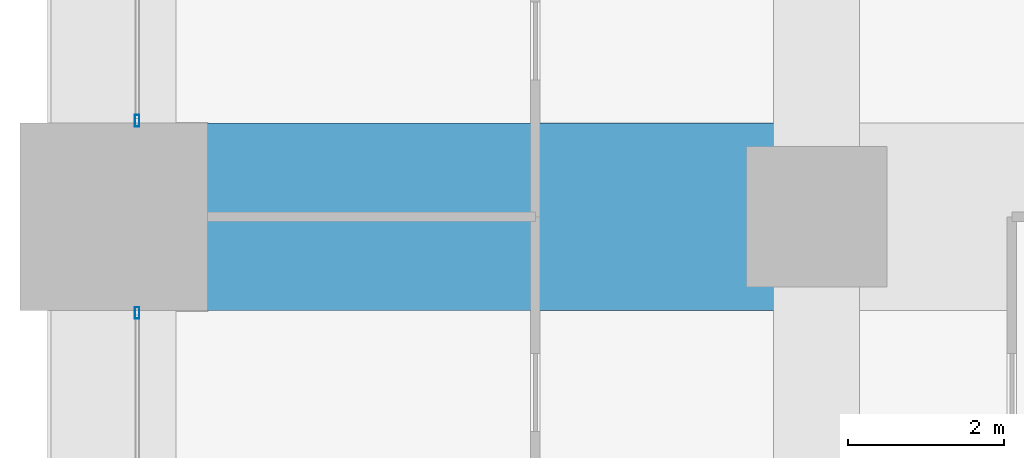
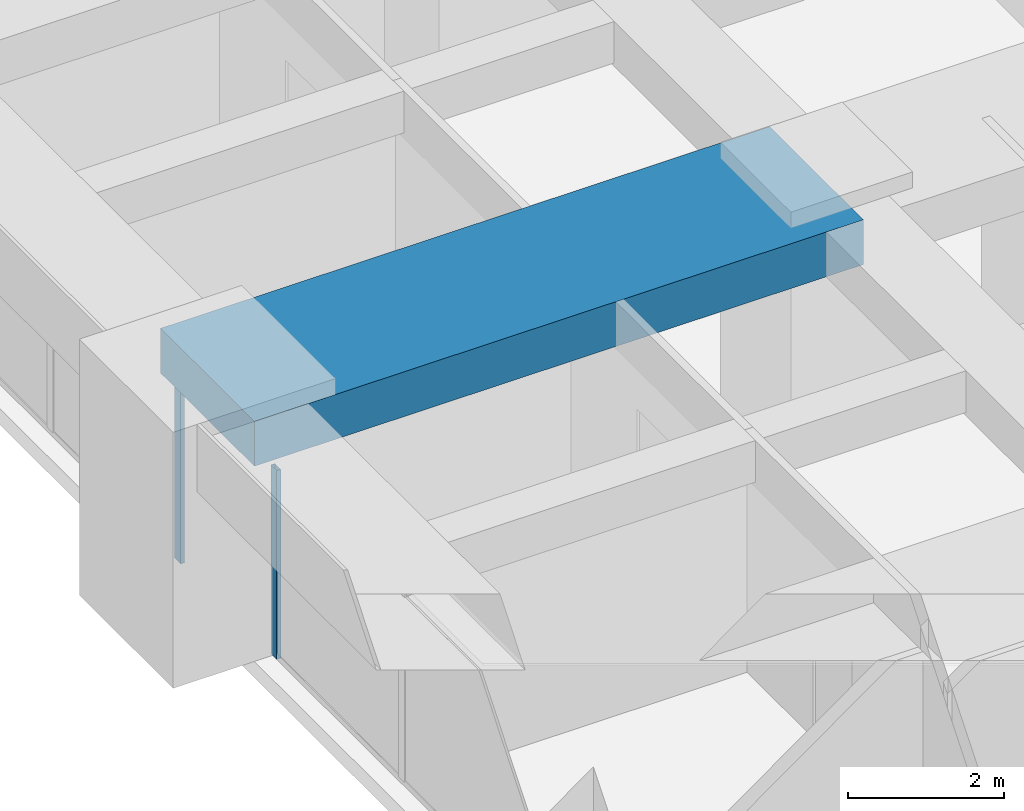
# One storey, part 11 of 43: 2 members, 1 beam, 2 elements without a shape of their own.
"""IFC4 building model written with IfcOpenShell, lengths in metres."""

from ifc_helpers import new_model, si_unit, direction, frame, origin, origin_2d, place, context, subcontext, project, spatial, rectangle, hollow_rectangle, extrude, material, material_profile, profile_set, type_object, element, aggregate, save


model = new_model("IFC4")

# Units and contexts
model_context = context("Model", 3, precision=1e-05, world=origin(), true_north=direction((0.0, 1.0)))
body_context = subcontext(model_context, "Body", "Model", "MODEL_VIEW")
ifc_project = project(units=[si_unit("LENGTHUNIT", "METRE"), si_unit("AREAUNIT", "SQUARE_METRE"), si_unit("VOLUMEUNIT", "CUBIC_METRE"), si_unit("PLANEANGLEUNIT", "RADIAN"), si_unit("MASSUNIT", "GRAM", prefix="KILO")], contexts=[model_context])

# Site, building, storey
site_placement = place(None, origin())
site = spatial("IfcSite", under=ifc_project, at=site_placement, CompositionType="ELEMENT")
building_placement = place(site_placement, origin())
building = spatial("IfcBuilding", under=site, at=building_placement, Name="Zorevar Civic Tower", CompositionType="ELEMENT")
storey_placement = place(building_placement, frame((0.0, 0.0, 145.0)))
storey = spatial("IfcBuildingStorey", under=building, at=storey_placement, Name="L35", CompositionType="ELEMENT", Elevation=145.0)

# Beam
ifc_material_1 = material(Name="Concrete C50/60", Category="concrete")
ifc_material_profile_1 = material_profile(ifc_material_1, rectangle(XDim=2.39990234375, YDim=0.699951171875, at=origin_2d()), Name="RC 2400x700")
ifc_profile_set_1 = profile_set([ifc_material_profile_1], Name="Concrete C50/60")
beam_type = type_object("IfcBeamType", Name="Beam RC 2400x700", PredefinedType="BEAM", material=ifc_profile_set_1)
beam_placement = place(storey_placement, frame((0.0, 27.0, 3.39990234375), z_axis=(1.0, 0.0, 0.0), x_axis=(0.0, 1.0, 0.0)))
element("IfcBeam", 1, at=beam_placement, inside=storey, type_object=beam_type, Name="Girder L36", PredefinedType="BEAM", context=body_context, shape_type="SweptSolid", body=[
    extrude(rectangle(XDim=2.39990234375, YDim=0.699951171875, at=origin_2d()), origin(), (0.0, 0.0, 1.0), 9.0),
])

# Curtain wall, member
ifc_material_2 = material(Name="Dark grey solar-control glass in black aluminium frame", Category="aluminium")
curtain_wall_type = type_object("IfcCurtainWallType", Name="Curtain wall CW3 mid zone", PredefinedType="NOTDEFINED", material=ifc_material_2)
curtain_wall_1_placement = place(storey_placement, origin())
curtain_wall_1 = element("IfcCurtainWall", 2, at=curtain_wall_1_placement, inside=storey, type_object=curtain_wall_type, Name="CW3 L35", PredefinedType="NOTDEFINED")
ifc_material_3 = material(Name="Aluminium, black anodised", Category="aluminium")
ifc_material_profile_2 = material_profile(ifc_material_3, hollow_rectangle(XDim=0.06005859375, YDim=0.14990234375, WallThickness=0.00390625, at=origin_2d()), Name="AL 150x60x4")
ifc_profile_set_2 = profile_set([ifc_material_profile_2], Name="Aluminium, black anodised")
member_type = type_object("IfcMemberType", Name="CW3 mullion AL 150x60x4", PredefinedType="MULLION", material=ifc_profile_set_2)
member_1_placement = place(storey_placement, frame((0.300048828125, 25.77001953125, 0.0), z_axis=(0.0, 0.0, 1.0), x_axis=(-1.0, 0.0, 0.0)))
member_1 = element("IfcMember", 3, at=member_1_placement, type_object=member_type, Name="CW3 mullion 3", PredefinedType="MULLION", context=body_context, shape_type="SweptSolid", body=[
    extrude(hollow_rectangle(XDim=0.06005859375, YDim=0.14990234375, WallThickness=0.00390625, at=origin_2d()), origin(), (0.0, 0.0, 1.0), 2.949951171875),
])
aggregate(curtain_wall_1, [member_1])

curtain_wall_2_placement = place(storey_placement, origin())
curtain_wall_2 = element("IfcCurtainWall", 4, at=curtain_wall_2_placement, inside=storey, type_object=curtain_wall_type, Name="CW3 L35", PredefinedType="NOTDEFINED")
member_2_placement = place(storey_placement, frame((0.300048828125, 28.22998046875, 0.0), z_axis=(0.0, 0.0, 1.0), x_axis=(-1.0, 0.0, 0.0)))
member_2 = element("IfcMember", 5, at=member_2_placement, type_object=member_type, Name="CW3 mullion 1", PredefinedType="MULLION", context=body_context, shape_type="SweptSolid", body=[
    extrude(hollow_rectangle(XDim=0.06005859375, YDim=0.14990234375, WallThickness=0.00390625, at=origin_2d()), origin(), (0.0, 0.0, 1.0), 2.949951171875),
])
aggregate(curtain_wall_2, [member_2])

save(model, "model.ifc")
